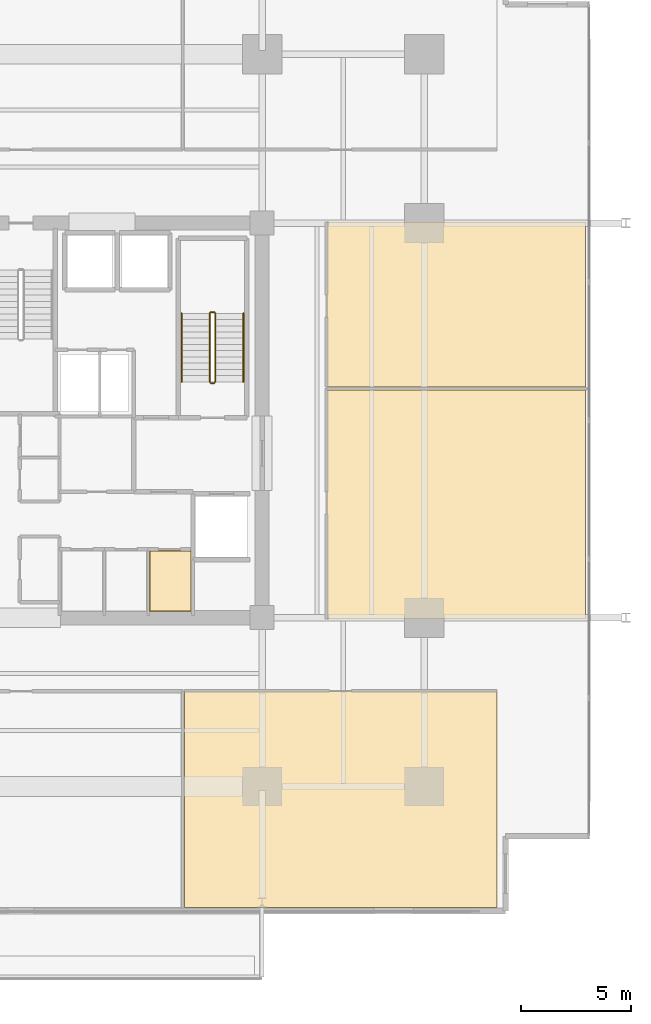
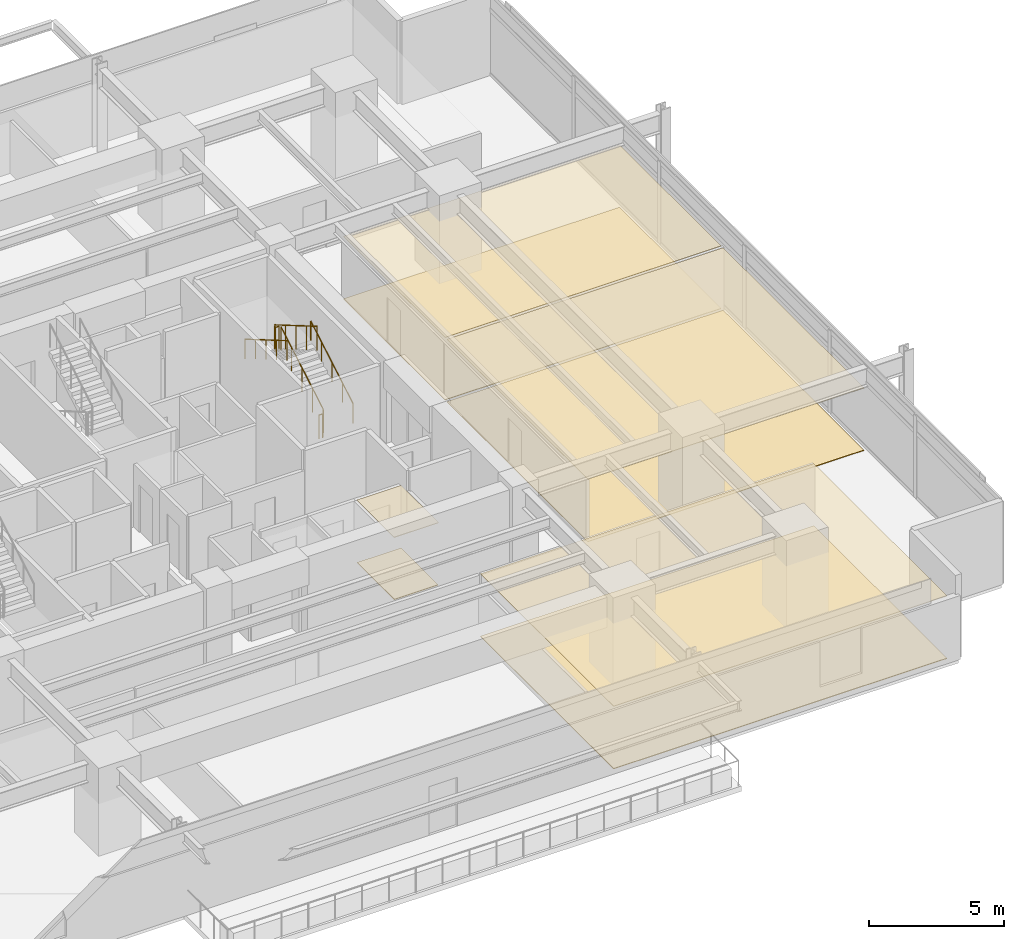
# One storey, part 21 of 23: 8 coverings, 6 railings.
"""IFC4 building model written with IfcOpenShell, lengths in metres."""

from ifc_helpers import new_model, si_unit, direction, frame, origin, origin_2d, place, context, subcontext, project, spatial, polyline, circle, outline, extrude, material, layer, layer_set, type_object, element, save


model = new_model("IFC4")

# Units and contexts
model_context = context("Model", 3, precision=1e-05, world=origin(), true_north=direction((0.0, 1.0)))
body_context = subcontext(model_context, "Body", "Model", "MODEL_VIEW")
ifc_project = project(units=[si_unit("LENGTHUNIT", "METRE"), si_unit("AREAUNIT", "SQUARE_METRE"), si_unit("VOLUMEUNIT", "CUBIC_METRE"), si_unit("PLANEANGLEUNIT", "RADIAN"), si_unit("MASSUNIT", "GRAM", prefix="KILO")], contexts=[model_context])

# Site, building, storey
site_placement = place(None, origin())
site = spatial("IfcSite", under=ifc_project, at=site_placement, CompositionType="ELEMENT")
building_placement = place(site_placement, origin())
building = spatial("IfcBuilding", under=site, at=building_placement, Name="Kovane Verandah Tower", CompositionType="ELEMENT")
storey_placement = place(building_placement, frame((0.0, 0.0, 63.60009765625)))
storey = spatial("IfcBuildingStorey", under=building, at=storey_placement, Name="L14", CompositionType="ELEMENT", Elevation=63.60009765625)

# Coverings
ifc_material_1 = material(Name="Perforated Acoustic Mineral-Fibre Ceiling Tile", Category="gypsum")
ifc_layer_1 = layer(ifc_material_1, 0.02490234375)
ifc_layer_set_1 = layer_set([ifc_layer_1], Name="Perforated Acoustic Mineral-Fibre Ceiling Tile")
covering_type_1 = type_object("IfcCoveringType", Name="CV-CEIL-25", PredefinedType="CEILING", material=ifc_layer_set_1)
covering_1_placement = place(storey_placement, frame((0.0, 0.0, 2.824951171875)))
element("IfcCovering", 1, at=covering_1_placement, inside=storey, type_object=covering_type_1, Name="L14 Quiet Wellness Room Acoustic Ceiling", PredefinedType="CEILING", context=body_context, shape_type="SweptSolid", body=[
    extrude(outline(polyline([(45.864990234375, 18.784912109375), (47.764892578125, 18.784912109375), (47.764892578125, 21.56494140625), (45.864990234375, 21.56494140625), (45.864990234375, 18.784912109375)])), origin(), (0.0, 0.0, 1.0), 0.02490234375),
])
covering_2_placement = place(storey_placement, frame((0.0, 0.0, 2.824951171875)))
element("IfcCovering", 2, at=covering_2_placement, inside=storey, type_object=covering_type_1, Name="L14 Open Plan Office S3 Acoustic Ceiling", PredefinedType="CEILING", context=body_context, shape_type="SweptSolid", body=[
    extrude(outline(polyline([(47.450439453125, 5.27490234375), (61.70703125, 5.27490234375), (61.70703125, 15.14990234375), (47.450439453125, 15.14990234375), (47.450439453125, 5.27490234375)])), origin(), (0.0, 0.0, 1.0), 0.02490234375),
])
covering_3_placement = place(storey_placement, frame((0.0, 0.0, 2.824951171875)))
element("IfcCovering", 3, at=covering_3_placement, inside=storey, type_object=covering_type_1, Name="L14 Meeting Room E1 Acoustic Ceiling", PredefinedType="CEILING", context=body_context, shape_type="SweptSolid", body=[
    extrude(outline(polyline([(53.949951171875, 18.449951171875), (65.757080078125, 18.449951171875), (65.757080078125, 28.8779296875), (53.949951171875, 28.8779296875), (53.949951171875, 18.449951171875)])), origin(), (0.0, 0.0, 1.0), 0.02490234375),
])
covering_4_placement = place(storey_placement, frame((0.0, 0.0, 2.824951171875)))
element("IfcCovering", 4, at=covering_4_placement, inside=storey, type_object=covering_type_1, Name="L14 Focus Studio E2 Acoustic Ceiling", PredefinedType="CEILING", context=body_context, shape_type="SweptSolid", body=[
    extrude(outline(polyline([(53.949951171875, 29.01806640625), (65.757080078125, 29.01806640625), (65.757080078125, 36.550048828125), (53.949951171875, 36.550048828125), (53.949951171875, 29.01806640625)])), origin(), (0.0, 0.0, 1.0), 0.02490234375),
])
ifc_material_2 = material(Name="Polished Terrazzo and Raised-Access Carpet Tile Finish", Category="concrete")
ifc_layer_2 = layer(ifc_material_2, 0.030029296875)
ifc_layer_set_2 = layer_set([ifc_layer_2], Name="Polished Terrazzo and Raised-Access Carpet Tile Finish")
covering_type_2 = type_object("IfcCoveringType", Name="CV-FLOR-30", PredefinedType="FLOORING", material=ifc_layer_set_2)
covering_5_placement = place(storey_placement, origin())
element("IfcCovering", 5, at=covering_5_placement, inside=storey, type_object=covering_type_2, Name="L14 Quiet Wellness Room Floor Finish", PredefinedType="FLOORING", context=body_context, shape_type="SweptSolid", body=[
    extrude(outline(polyline([(45.8798828125, 18.800048828125), (47.75, 18.800048828125), (47.75, 21.550048828125), (45.8798828125, 21.550048828125), (45.8798828125, 18.800048828125)])), origin(), (0.0, 0.0, 1.0), 0.02978515625),
])
covering_6_placement = place(storey_placement, origin())
element("IfcCovering", 6, at=covering_6_placement, inside=storey, type_object=covering_type_2, Name="L14 Open Plan Office S3 Floor Finish", PredefinedType="FLOORING", context=body_context, shape_type="SweptSolid", body=[
    extrude(outline(polyline([(47.450439453125, 5.27490234375), (61.70703125, 5.27490234375), (61.70703125, 15.14990234375), (47.450439453125, 15.14990234375), (47.450439453125, 5.27490234375)])), origin(), (0.0, 0.0, 1.0), 0.02978515625),
])
covering_7_placement = place(storey_placement, origin())
element("IfcCovering", 7, at=covering_7_placement, inside=storey, type_object=covering_type_2, Name="L14 Meeting Room E1 Floor Finish", PredefinedType="FLOORING", context=body_context, shape_type="SweptSolid", body=[
    extrude(outline(polyline([(53.949951171875, 18.449951171875), (65.757080078125, 18.449951171875), (65.757080078125, 28.8779296875), (53.949951171875, 28.8779296875), (53.949951171875, 18.449951171875)])), origin(), (0.0, 0.0, 1.0), 0.02978515625),
])
covering_8_placement = place(storey_placement, origin())
element("IfcCovering", 8, at=covering_8_placement, inside=storey, type_object=covering_type_2, Name="L14 Focus Studio E2 Floor Finish", PredefinedType="FLOORING", context=body_context, shape_type="SweptSolid", body=[
    extrude(outline(polyline([(53.949951171875, 29.01806640625), (65.757080078125, 29.01806640625), (65.757080078125, 36.550048828125), (53.949951171875, 36.550048828125), (53.949951171875, 29.01806640625)])), origin(), (0.0, 0.0, 1.0), 0.02978515625),
])

# Railings
ifc_material_3 = material(Name="Brushed Stainless Steel Handrail", Category="steel")
railing_type_1 = type_object("IfcRailingType", Name="RL-HAND-920", PredefinedType="HANDRAIL", material=ifc_material_3)
railing_1_placement = place(storey_placement, frame((50.14990234375, 29.25, 0.16650390625)))
element("IfcRailing", 9, at=railing_1_placement, inside=storey, type_object=railing_type_1, Name="L14 ST-02 stair handrail 1", PredefinedType="HANDRAIL", context=body_context, shape_type="SweptSolid", body=[
    extrude(circle(Radius=0.02392578125, at=origin_2d()), frame((0.0, 0.0, 0.8759765625), z_axis=(0.0, 0.863210265497, 0.504844567704), x_axis=(-1.0, 0.0, 0.0)), (0.0, 0.0, 1.0), 3.6318359375),
    extrude(circle(Radius=0.02099609375, at=origin_2d()), origin(), (0.0, 0.0, 1.0), 0.851806640625),
    extrude(circle(Radius=0.02099609375, at=origin_2d()), frame((0.0, 0.78369140625, 0.45849609375)), (0.0, 0.0, 1.0), 0.851806640625),
    extrude(circle(Radius=0.02099609375, at=origin_2d()), frame((0.0, 1.5673828125, 0.916748046875)), (0.0, 0.0, 1.0), 0.851806640625),
    extrude(circle(Radius=0.02099609375, at=origin_2d()), frame((0.0, 2.351318359375, 1.375)), (0.0, 0.0, 1.0), 0.851806640625),
    extrude(circle(Radius=0.02099609375, at=origin_2d()), frame((0.0, 3.135009765625, 1.83349609375)), (0.0, 0.0, 1.0), 0.851806640625),
])
railing_2_placement = place(storey_placement, frame((47.330078125, 32.385009765625, 2.16650390625)))
element("IfcRailing", 10, at=railing_2_placement, inside=storey, type_object=railing_type_1, Name="L14 ST-02 stair handrail 2", PredefinedType="HANDRAIL", context=body_context, shape_type="SweptSolid", body=[
    extrude(circle(Radius=0.02392578125, at=origin_2d()), frame((0.0, 0.0, 0.8759765625), z_axis=(0.0, -0.863210265497, 0.504844567704), x_axis=(1.0, 0.0, 0.0)), (0.0, 0.0, 1.0), 3.6318359375),
    extrude(circle(Radius=0.02099609375, at=origin_2d()), origin(), (0.0, 0.0, 1.0), 0.851806640625),
    extrude(circle(Radius=0.02099609375, at=origin_2d()), frame((0.0, -0.78369140625, 0.45849609375)), (0.0, 0.0, 1.0), 0.851806640625),
    extrude(circle(Radius=0.02099609375, at=origin_2d()), frame((0.0, -1.5673828125, 0.916748046875)), (0.0, 0.0, 1.0), 0.851806640625),
    extrude(circle(Radius=0.02099609375, at=origin_2d()), frame((0.0, -2.351318359375, 1.375)), (0.0, 0.0, 1.0), 0.851806640625),
    extrude(circle(Radius=0.02099609375, at=origin_2d()), frame((0.0, -3.135009765625, 1.83349609375)), (0.0, 0.0, 1.0), 0.851806640625),
])
ifc_material_4 = material(Name="Painted Steel Stairwell Guardrail", Category="steel")
railing_type_2 = type_object("IfcRailingType", Name="RL-STGUARD-1120", PredefinedType="GUARDRAIL", material=ifc_material_4)
railing_3_placement = place(storey_placement, frame((48.8701171875, 29.25, 0.16650390625)))
element("IfcRailing", 11, at=railing_3_placement, inside=storey, type_object=railing_type_2, Name="L14 ST-02 stair guard 1", PredefinedType="GUARDRAIL", context=body_context, shape_type="SweptSolid", body=[
    extrude(circle(Radius=0.02392578125, at=origin_2d()), frame((0.0, 0.0, 1.076171875), z_axis=(0.0, 0.863210265497, 0.504844567704), x_axis=(-1.0, 0.0, 0.0)), (0.0, 0.0, 1.0), 3.6318359375),
    extrude(circle(Radius=0.02099609375, at=origin_2d()), origin(), (0.0, 0.0, 1.0), 1.052001953125),
    extrude(circle(Radius=0.02099609375, at=origin_2d()), frame((0.0, 0.78369140625, 0.45849609375)), (0.0, 0.0, 1.0), 1.052001953125),
    extrude(circle(Radius=0.02099609375, at=origin_2d()), frame((0.0, 1.5673828125, 0.916748046875)), (0.0, 0.0, 1.0), 1.052001953125),
    extrude(circle(Radius=0.02099609375, at=origin_2d()), frame((0.0, 2.351318359375, 1.375)), (0.0, 0.0, 1.0), 1.052001953125),
    extrude(circle(Radius=0.02099609375, at=origin_2d()), frame((0.0, 3.135009765625, 1.83349609375)), (0.0, 0.0, 1.0), 1.052001953125),
])
railing_4_placement = place(storey_placement, frame((48.820068359375, 32.43505859375, 2.0)))
element("IfcRailing", 12, at=railing_4_placement, inside=storey, type_object=railing_type_2, Name="L14 ST-02 stair guard 2", PredefinedType="GUARDRAIL", context=body_context, shape_type="SweptSolid", body=[
    extrude(circle(Radius=0.02392578125, at=origin_2d()), frame((0.0, 0.0, 1.076171875), z_axis=(-1.0, 0.0, 0.0), x_axis=(0.0, -1.0, 0.0)), (0.0, 0.0, 1.0), 0.16015625),
    extrude(circle(Radius=0.02099609375, at=origin_2d()), origin(), (0.0, 0.0, 1.0), 1.052001953125),
    extrude(circle(Radius=0.02099609375, at=origin_2d()), frame((-0.16015625, 0.0, 0.0)), (0.0, 0.0, 1.0), 1.052001953125),
])
railing_5_placement = place(storey_placement, frame((48.610107421875, 32.385009765625, 2.16650390625)))
element("IfcRailing", 13, at=railing_5_placement, inside=storey, type_object=railing_type_2, Name="L14 ST-02 stair guard 3", PredefinedType="GUARDRAIL", context=body_context, shape_type="SweptSolid", body=[
    extrude(circle(Radius=0.02392578125, at=origin_2d()), frame((0.0, 0.0, 1.076171875), z_axis=(0.0, -0.863210265497, 0.504844567704), x_axis=(1.0, 0.0, 0.0)), (0.0, 0.0, 1.0), 3.6318359375),
    extrude(circle(Radius=0.02099609375, at=origin_2d()), origin(), (0.0, 0.0, 1.0), 1.052001953125),
    extrude(circle(Radius=0.02099609375, at=origin_2d()), frame((0.0, -0.78369140625, 0.45849609375)), (0.0, 0.0, 1.0), 1.052001953125),
    extrude(circle(Radius=0.02099609375, at=origin_2d()), frame((0.0, -1.5673828125, 0.916748046875)), (0.0, 0.0, 1.0), 1.052001953125),
    extrude(circle(Radius=0.02099609375, at=origin_2d()), frame((0.0, -2.351318359375, 1.375)), (0.0, 0.0, 1.0), 1.052001953125),
    extrude(circle(Radius=0.02099609375, at=origin_2d()), frame((0.0, -3.135009765625, 1.83349609375)), (0.0, 0.0, 1.0), 1.052001953125),
])
railing_6_placement = place(storey_placement, frame((48.820068359375, 29.199951171875, 0.0)))
element("IfcRailing", 14, at=railing_6_placement, inside=storey, type_object=railing_type_2, Name="L14 ST-02 stair guard 4", PredefinedType="GUARDRAIL", context=body_context, shape_type="SweptSolid", body=[
    extrude(circle(Radius=0.02392578125, at=origin_2d()), frame((0.0, 0.0, 1.076171875), z_axis=(-1.0, 0.0, 0.0), x_axis=(0.0, -1.0, 0.0)), (0.0, 0.0, 1.0), 0.16015625),
    extrude(circle(Radius=0.02099609375, at=origin_2d()), origin(), (0.0, 0.0, 1.0), 1.052001953125),
    extrude(circle(Radius=0.02099609375, at=origin_2d()), frame((-0.16015625, 0.0, 0.0)), (0.0, 0.0, 1.0), 1.052001953125),
])

save(model, "model.ifc")
